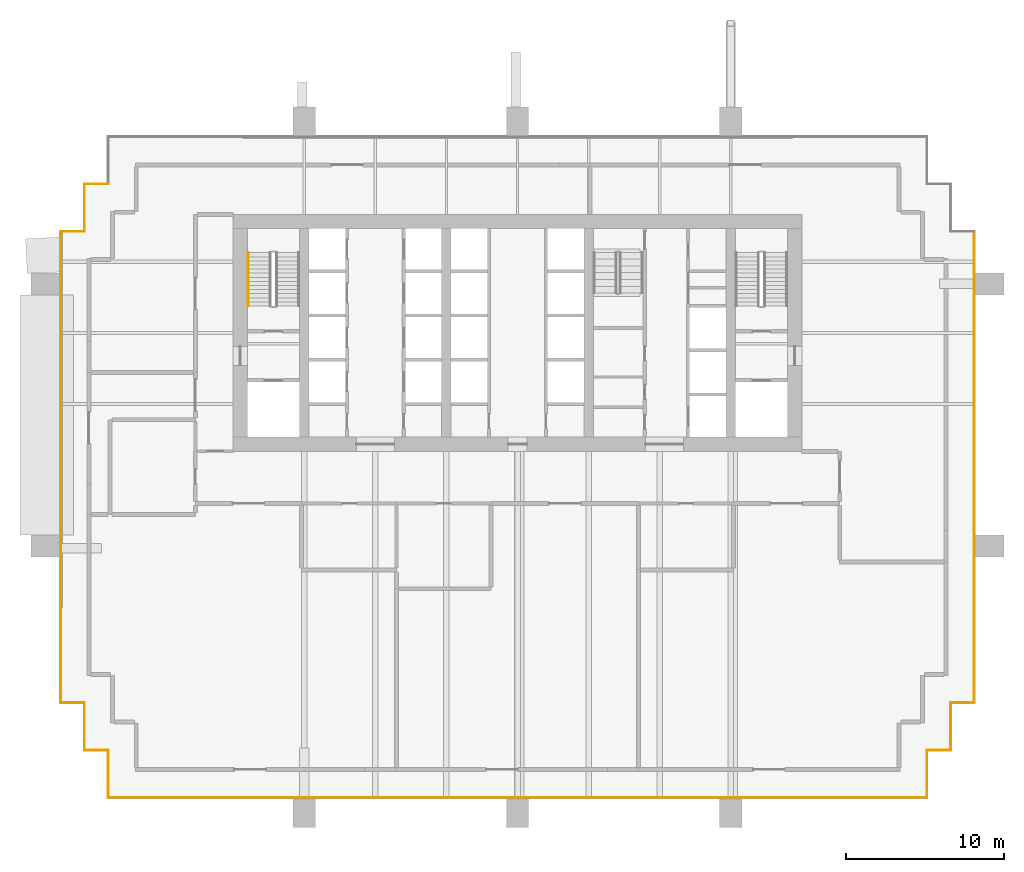
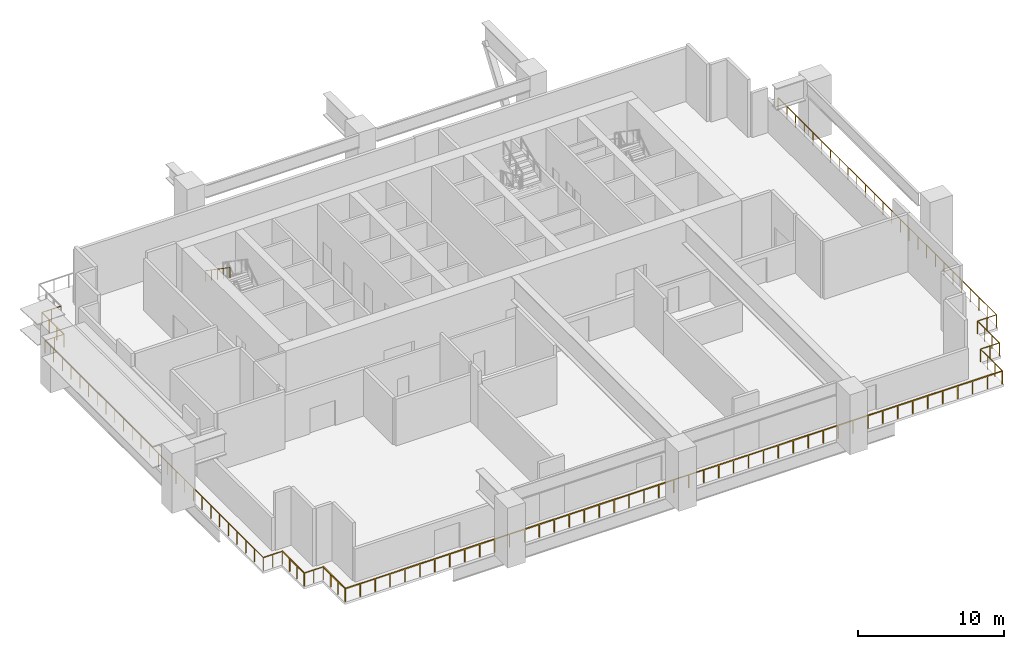
# One storey, part 6 of 9: 15 railings.
"""IFC4 building model written with IfcOpenShell, lengths in metres."""

from ifc_helpers import new_model, si_unit, direction, frame, origin, origin_2d, place, context, subcontext, project, spatial, rectangle, extrude, material, type_object, element, save


model = new_model("IFC4")

# Units and contexts
model_context = context("Model", 3, precision=1e-05, world=origin(), true_north=direction((0.0, 1.0)))
body_context = subcontext(model_context, "Body", "Model", "MODEL_VIEW")
ifc_project = project(units=[si_unit("LENGTHUNIT", "METRE"), si_unit("AREAUNIT", "SQUARE_METRE"), si_unit("VOLUMEUNIT", "CUBIC_METRE"), si_unit("PLANEANGLEUNIT", "RADIAN"), si_unit("MASSUNIT", "GRAM", prefix="KILO")], contexts=[model_context])

# Site, building, storey
site_placement = place(None, origin())
site = spatial("IfcSite", under=ifc_project, at=site_placement, CompositionType="ELEMENT")
building_placement = place(site_placement, origin())
building = spatial("IfcBuilding", under=site, at=building_placement, Name="Rattan Terrace Tower", CompositionType="ELEMENT")
storey_placement = place(building_placement, frame((0.0, 0.0, 158.10009765625)))
storey = spatial("IfcBuildingStorey", under=building, at=storey_placement, Name="L36", CompositionType="ELEMENT", Elevation=158.10009765625)

# Railings
ifc_material_1 = material(Name="Powder-coated steel handrail", Category="steel")
railing_type_1 = type_object("IfcRailingType", Name="Core stair handrail", PredefinedType="HANDRAIL", material=ifc_material_1)
railing_1_placement = place(storey_placement, frame((-17.050048828125, 5.080078125, 2.678466796875)))
element("IfcRailing", 1, at=railing_1_placement, inside=storey, type_object=railing_type_1, Name="L36 S1 stair handrail 2", PredefinedType="HANDRAIL", context=body_context, shape_type="SweptSolid", body=[
    extrude(rectangle(XDim=0.048095703125, YDim=0.048095703125, at=origin_2d()), frame((0.0, 0.0, 0.8759765625), z_axis=(0.0, -0.824304150675, 0.566147213346), x_axis=(1.0, 0.0, 0.0)), (0.0, 0.0, 1.0), 4.1005859375),
    extrude(rectangle(XDim=0.0419921875, YDim=0.0419921875, at=origin_2d()), origin(), (0.0, 0.0, 1.0), 0.851806640625),
    extrude(rectangle(XDim=0.0419921875, YDim=0.0419921875, at=origin_2d()), frame((0.0, -0.844970703125, 0.580322265625)), (0.0, 0.0, 1.0), 0.851806640625),
    extrude(rectangle(XDim=0.0419921875, YDim=0.0419921875, at=origin_2d()), frame((0.0, -1.68994140625, 1.16064453125)), (0.0, 0.0, 1.0), 0.851806640625),
    extrude(rectangle(XDim=0.0419921875, YDim=0.0419921875, at=origin_2d()), frame((0.0, -2.53515625, 1.7412109375)), (0.0, 0.0, 1.0), 0.851806640625),
    extrude(rectangle(XDim=0.0419921875, YDim=0.0419921875, at=origin_2d()), frame((0.0, -3.380126953125, 2.321533203125)), (0.0, 0.0, 1.0), 0.851806640625),
])
ifc_material_2 = material(Name="Stainless steel 316", Category="steel")
railing_type_2 = type_object("IfcRailingType", Name="Facade Guard 1100", PredefinedType="GUARDRAIL", material=ifc_material_2)
railing_2_placement = place(storey_placement, frame((25.919921875, -29.419921875, 0.0)))
element("IfcRailing", 2, at=railing_2_placement, inside=storey, type_object=railing_type_2, Name="Guard L36-1", PredefinedType="GUARDRAIL", context=body_context, shape_type="SweptSolid", body=[
    extrude(rectangle(XDim=0.048095703125, YDim=0.048095703125, at=origin_2d()), frame((0.0, 0.0, 1.076171875), z_axis=(-1.0, 0.0, 0.0), x_axis=(0.0, -1.0, 0.0)), (0.0, 0.0, 1.0), 51.83984375),
    extrude(rectangle(XDim=0.0419921875, YDim=0.0419921875, at=origin_2d()), origin(), (0.0, 0.0, 1.0), 1.052001953125),
    extrude(rectangle(XDim=0.0419921875, YDim=0.0419921875, at=origin_2d()), frame((-1.17822265625, 0.0, 0.0)), (0.0, 0.0, 1.0), 1.052001953125),
    extrude(rectangle(XDim=0.0419921875, YDim=0.0419921875, at=origin_2d()), frame((-2.3564453125, 0.0, 0.0)), (0.0, 0.0, 1.0), 1.052001953125),
    extrude(rectangle(XDim=0.0419921875, YDim=0.0419921875, at=origin_2d()), frame((-3.534423828125, 0.0, 0.0)), (0.0, 0.0, 1.0), 1.052001953125),
    extrude(rectangle(XDim=0.0419921875, YDim=0.0419921875, at=origin_2d()), frame((-4.712646484375, 0.0, 0.0)), (0.0, 0.0, 1.0), 1.052001953125),
    extrude(rectangle(XDim=0.0419921875, YDim=0.0419921875, at=origin_2d()), frame((-5.890869140625, 0.0, 0.0)), (0.0, 0.0, 1.0), 1.052001953125),
    extrude(rectangle(XDim=0.0419921875, YDim=0.0419921875, at=origin_2d()), frame((-7.069091796875, 0.0, 0.0)), (0.0, 0.0, 1.0), 1.052001953125),
    extrude(rectangle(XDim=0.0419921875, YDim=0.0419921875, at=origin_2d()), frame((-8.247314453125, 0.0, 0.0)), (0.0, 0.0, 1.0), 1.052001953125),
    extrude(rectangle(XDim=0.0419921875, YDim=0.0419921875, at=origin_2d()), frame((-9.425537109375, 0.0, 0.0)), (0.0, 0.0, 1.0), 1.052001953125),
    extrude(rectangle(XDim=0.0419921875, YDim=0.0419921875, at=origin_2d()), frame((-10.603515625, 0.0, 0.0)), (0.0, 0.0, 1.0), 1.052001953125),
    extrude(rectangle(XDim=0.0419921875, YDim=0.0419921875, at=origin_2d()), frame((-11.78173828125, 0.0, 0.0)), (0.0, 0.0, 1.0), 1.052001953125),
    extrude(rectangle(XDim=0.0419921875, YDim=0.0419921875, at=origin_2d()), frame((-12.9599609375, 0.0, 0.0)), (0.0, 0.0, 1.0), 1.052001953125),
    extrude(rectangle(XDim=0.0419921875, YDim=0.0419921875, at=origin_2d()), frame((-14.13818359375, 0.0, 0.0)), (0.0, 0.0, 1.0), 1.052001953125),
    extrude(rectangle(XDim=0.0419921875, YDim=0.0419921875, at=origin_2d()), frame((-15.31640625, 0.0, 0.0)), (0.0, 0.0, 1.0), 1.052001953125),
    extrude(rectangle(XDim=0.0419921875, YDim=0.0419921875, at=origin_2d()), frame((-16.494384765625, 0.0, 0.0)), (0.0, 0.0, 1.0), 1.052001953125),
    extrude(rectangle(XDim=0.0419921875, YDim=0.0419921875, at=origin_2d()), frame((-17.672607421875, 0.0, 0.0)), (0.0, 0.0, 1.0), 1.052001953125),
    extrude(rectangle(XDim=0.0419921875, YDim=0.0419921875, at=origin_2d()), frame((-18.850830078125, 0.0, 0.0)), (0.0, 0.0, 1.0), 1.052001953125),
    extrude(rectangle(XDim=0.0419921875, YDim=0.0419921875, at=origin_2d()), frame((-20.029052734375, 0.0, 0.0)), (0.0, 0.0, 1.0), 1.052001953125),
    extrude(rectangle(XDim=0.0419921875, YDim=0.0419921875, at=origin_2d()), frame((-21.207275390625, 0.0, 0.0)), (0.0, 0.0, 1.0), 1.052001953125),
    extrude(rectangle(XDim=0.0419921875, YDim=0.0419921875, at=origin_2d()), frame((-22.385498046875, 0.0, 0.0)), (0.0, 0.0, 1.0), 1.052001953125),
    extrude(rectangle(XDim=0.0419921875, YDim=0.0419921875, at=origin_2d()), frame((-23.5634765625, 0.0, 0.0)), (0.0, 0.0, 1.0), 1.052001953125),
    extrude(rectangle(XDim=0.0419921875, YDim=0.0419921875, at=origin_2d()), frame((-24.74169921875, 0.0, 0.0)), (0.0, 0.0, 1.0), 1.052001953125),
    extrude(rectangle(XDim=0.0419921875, YDim=0.0419921875, at=origin_2d()), frame((-25.919921875, 0.0, 0.0)), (0.0, 0.0, 1.0), 1.052001953125),
    extrude(rectangle(XDim=0.0419921875, YDim=0.0419921875, at=origin_2d()), frame((-27.09814453125, 0.0, 0.0)), (0.0, 0.0, 1.0), 1.052001953125),
    extrude(rectangle(XDim=0.0419921875, YDim=0.0419921875, at=origin_2d()), frame((-28.2763671875, 0.0, 0.0)), (0.0, 0.0, 1.0), 1.052001953125),
    extrude(rectangle(XDim=0.0419921875, YDim=0.0419921875, at=origin_2d()), frame((-29.454345703125, 0.0, 0.0)), (0.0, 0.0, 1.0), 1.052001953125),
    extrude(rectangle(XDim=0.0419921875, YDim=0.0419921875, at=origin_2d()), frame((-30.632568359375, 0.0, 0.0)), (0.0, 0.0, 1.0), 1.052001953125),
    extrude(rectangle(XDim=0.0419921875, YDim=0.0419921875, at=origin_2d()), frame((-31.810791015625, 0.0, 0.0)), (0.0, 0.0, 1.0), 1.052001953125),
    extrude(rectangle(XDim=0.0419921875, YDim=0.0419921875, at=origin_2d()), frame((-32.989013671875, 0.0, 0.0)), (0.0, 0.0, 1.0), 1.052001953125),
    extrude(rectangle(XDim=0.0419921875, YDim=0.0419921875, at=origin_2d()), frame((-34.167236328125, 0.0, 0.0)), (0.0, 0.0, 1.0), 1.052001953125),
    extrude(rectangle(XDim=0.0419921875, YDim=0.0419921875, at=origin_2d()), frame((-35.345458984375, 0.0, 0.0)), (0.0, 0.0, 1.0), 1.052001953125),
    extrude(rectangle(XDim=0.0419921875, YDim=0.0419921875, at=origin_2d()), frame((-36.5234375, 0.0, 0.0)), (0.0, 0.0, 1.0), 1.052001953125),
    extrude(rectangle(XDim=0.0419921875, YDim=0.0419921875, at=origin_2d()), frame((-37.70166015625, 0.0, 0.0)), (0.0, 0.0, 1.0), 1.052001953125),
    extrude(rectangle(XDim=0.0419921875, YDim=0.0419921875, at=origin_2d()), frame((-38.8798828125, 0.0, 0.0)), (0.0, 0.0, 1.0), 1.052001953125),
    extrude(rectangle(XDim=0.0419921875, YDim=0.0419921875, at=origin_2d()), frame((-40.05810546875, 0.0, 0.0)), (0.0, 0.0, 1.0), 1.052001953125),
    extrude(rectangle(XDim=0.0419921875, YDim=0.0419921875, at=origin_2d()), frame((-41.236328125, 0.0, 0.0)), (0.0, 0.0, 1.0), 1.052001953125),
    extrude(rectangle(XDim=0.0419921875, YDim=0.0419921875, at=origin_2d()), frame((-42.414306640625, 0.0, 0.0)), (0.0, 0.0, 1.0), 1.052001953125),
    extrude(rectangle(XDim=0.0419921875, YDim=0.0419921875, at=origin_2d()), frame((-43.592529296875, 0.0, 0.0)), (0.0, 0.0, 1.0), 1.052001953125),
    extrude(rectangle(XDim=0.0419921875, YDim=0.0419921875, at=origin_2d()), frame((-44.770751953125, 0.0, 0.0)), (0.0, 0.0, 1.0), 1.052001953125),
    extrude(rectangle(XDim=0.0419921875, YDim=0.0419921875, at=origin_2d()), frame((-45.948974609375, 0.0, 0.0)), (0.0, 0.0, 1.0), 1.052001953125),
    extrude(rectangle(XDim=0.0419921875, YDim=0.0419921875, at=origin_2d()), frame((-47.127197265625, 0.0, 0.0)), (0.0, 0.0, 1.0), 1.052001953125),
    extrude(rectangle(XDim=0.0419921875, YDim=0.0419921875, at=origin_2d()), frame((-48.305419921875, 0.0, 0.0)), (0.0, 0.0, 1.0), 1.052001953125),
    extrude(rectangle(XDim=0.0419921875, YDim=0.0419921875, at=origin_2d()), frame((-49.4833984375, 0.0, 0.0)), (0.0, 0.0, 1.0), 1.052001953125),
    extrude(rectangle(XDim=0.0419921875, YDim=0.0419921875, at=origin_2d()), frame((-50.66162109375, 0.0, 0.0)), (0.0, 0.0, 1.0), 1.052001953125),
])
railing_3_placement = place(storey_placement, frame((-25.919921875, -29.419921875, 0.0)))
element("IfcRailing", 3, at=railing_3_placement, inside=storey, type_object=railing_type_2, Name="Guard L36-2", PredefinedType="GUARDRAIL", context=body_context, shape_type="SweptSolid", body=[
    extrude(rectangle(XDim=0.048095703125, YDim=0.048095703125, at=origin_2d()), frame((0.0, 0.0, 1.076171875), z_axis=(0.0, 1.0, 0.0), x_axis=(-1.0, 0.0, 0.0)), (0.0, 0.0, 1.0), 3.0),
    extrude(rectangle(XDim=0.0419921875, YDim=0.0419921875, at=origin_2d()), origin(), (0.0, 0.0, 1.0), 1.052001953125),
    extrude(rectangle(XDim=0.0419921875, YDim=0.0419921875, at=origin_2d()), frame((0.0, 1.0, 0.0)), (0.0, 0.0, 1.0), 1.052001953125),
    extrude(rectangle(XDim=0.0419921875, YDim=0.0419921875, at=origin_2d()), frame((0.0, 2.0, 0.0)), (0.0, 0.0, 1.0), 1.052001953125),
])
railing_4_placement = place(storey_placement, frame((-25.919921875, -26.419921875, 0.0)))
element("IfcRailing", 4, at=railing_4_placement, inside=storey, type_object=railing_type_2, Name="Guard L36-3", PredefinedType="GUARDRAIL", context=body_context, shape_type="SweptSolid", body=[
    extrude(rectangle(XDim=0.048095703125, YDim=0.048095703125, at=origin_2d()), frame((0.0, 0.0, 1.076171875), z_axis=(-1.0, 0.0, 0.0), x_axis=(0.0, -1.0, 0.0)), (0.0, 0.0, 1.0), 1.5),
    extrude(rectangle(XDim=0.0419921875, YDim=0.0419921875, at=origin_2d()), origin(), (0.0, 0.0, 1.0), 1.052001953125),
    extrude(rectangle(XDim=0.0419921875, YDim=0.0419921875, at=origin_2d()), frame((-0.75, 0.0, 0.0)), (0.0, 0.0, 1.0), 1.052001953125),
])
railing_5_placement = place(storey_placement, frame((-27.419921875, -26.419921875, 0.0)))
element("IfcRailing", 5, at=railing_5_placement, inside=storey, type_object=railing_type_2, Name="Guard L36-4", PredefinedType="GUARDRAIL", context=body_context, shape_type="SweptSolid", body=[
    extrude(rectangle(XDim=0.048095703125, YDim=0.048095703125, at=origin_2d()), frame((0.0, 0.0, 1.076171875), z_axis=(0.0, 1.0, 0.0), x_axis=(-1.0, 0.0, 0.0)), (0.0, 0.0, 1.0), 3.0),
    extrude(rectangle(XDim=0.0419921875, YDim=0.0419921875, at=origin_2d()), origin(), (0.0, 0.0, 1.0), 1.052001953125),
    extrude(rectangle(XDim=0.0419921875, YDim=0.0419921875, at=origin_2d()), frame((0.0, 1.0, 0.0)), (0.0, 0.0, 1.0), 1.052001953125),
    extrude(rectangle(XDim=0.0419921875, YDim=0.0419921875, at=origin_2d()), frame((0.0, 2.0, 0.0)), (0.0, 0.0, 1.0), 1.052001953125),
])
railing_6_placement = place(storey_placement, frame((-27.419921875, -23.419921875, 0.0)))
element("IfcRailing", 6, at=railing_6_placement, inside=storey, type_object=railing_type_2, Name="Guard L36-5", PredefinedType="GUARDRAIL", context=body_context, shape_type="SweptSolid", body=[
    extrude(rectangle(XDim=0.048095703125, YDim=0.048095703125, at=origin_2d()), frame((0.0, 0.0, 1.076171875), z_axis=(-1.0, 0.0, 0.0), x_axis=(0.0, -1.0, 0.0)), (0.0, 0.0, 1.0), 1.5),
    extrude(rectangle(XDim=0.0419921875, YDim=0.0419921875, at=origin_2d()), origin(), (0.0, 0.0, 1.0), 1.052001953125),
    extrude(rectangle(XDim=0.0419921875, YDim=0.0419921875, at=origin_2d()), frame((-0.75, 0.0, 0.0)), (0.0, 0.0, 1.0), 1.052001953125),
])
railing_7_placement = place(storey_placement, frame((-28.919921875, -23.419921875, 0.0)))
element("IfcRailing", 7, at=railing_7_placement, inside=storey, type_object=railing_type_2, Name="Guard L36-6", PredefinedType="GUARDRAIL", context=body_context, shape_type="SweptSolid", body=[
    extrude(rectangle(XDim=0.048095703125, YDim=0.048095703125, at=origin_2d()), frame((0.0, 0.0, 1.076171875), z_axis=(0.0, 1.0, 0.0), x_axis=(-1.0, 0.0, 0.0)), (0.0, 0.0, 1.0), 29.83984375),
    extrude(rectangle(XDim=0.0419921875, YDim=0.0419921875, at=origin_2d()), origin(), (0.0, 0.0, 1.0), 1.052001953125),
    extrude(rectangle(XDim=0.0419921875, YDim=0.0419921875, at=origin_2d()), frame((0.0, 1.193603515625, 0.0)), (0.0, 0.0, 1.0), 1.052001953125),
    extrude(rectangle(XDim=0.0419921875, YDim=0.0419921875, at=origin_2d()), frame((0.0, 2.38720703125, 0.0)), (0.0, 0.0, 1.0), 1.052001953125),
    extrude(rectangle(XDim=0.0419921875, YDim=0.0419921875, at=origin_2d()), frame((0.0, 3.580810546875, 0.0)), (0.0, 0.0, 1.0), 1.052001953125),
    extrude(rectangle(XDim=0.0419921875, YDim=0.0419921875, at=origin_2d()), frame((0.0, 4.7744140625, 0.0)), (0.0, 0.0, 1.0), 1.052001953125),
    extrude(rectangle(XDim=0.0419921875, YDim=0.0419921875, at=origin_2d()), frame((0.0, 5.968017578125, 0.0)), (0.0, 0.0, 1.0), 1.052001953125),
    extrude(rectangle(XDim=0.0419921875, YDim=0.0419921875, at=origin_2d()), frame((0.0, 7.16162109375, 0.0)), (0.0, 0.0, 1.0), 1.052001953125),
    extrude(rectangle(XDim=0.0419921875, YDim=0.0419921875, at=origin_2d()), frame((0.0, 8.355224609375, 0.0)), (0.0, 0.0, 1.0), 1.052001953125),
    extrude(rectangle(XDim=0.0419921875, YDim=0.0419921875, at=origin_2d()), frame((0.0, 9.548828125, 0.0)), (0.0, 0.0, 1.0), 1.052001953125),
    extrude(rectangle(XDim=0.0419921875, YDim=0.0419921875, at=origin_2d()), frame((0.0, 10.742431640625, 0.0)), (0.0, 0.0, 1.0), 1.052001953125),
    extrude(rectangle(XDim=0.0419921875, YDim=0.0419921875, at=origin_2d()), frame((0.0, 11.93603515625, 0.0)), (0.0, 0.0, 1.0), 1.052001953125),
    extrude(rectangle(XDim=0.0419921875, YDim=0.0419921875, at=origin_2d()), frame((0.0, 13.129638671875, 0.0)), (0.0, 0.0, 1.0), 1.052001953125),
    extrude(rectangle(XDim=0.0419921875, YDim=0.0419921875, at=origin_2d()), frame((0.0, 14.3232421875, 0.0)), (0.0, 0.0, 1.0), 1.052001953125),
    extrude(rectangle(XDim=0.0419921875, YDim=0.0419921875, at=origin_2d()), frame((0.0, 15.5166015625, 0.0)), (0.0, 0.0, 1.0), 1.052001953125),
    extrude(rectangle(XDim=0.0419921875, YDim=0.0419921875, at=origin_2d()), frame((0.0, 16.710205078125, 0.0)), (0.0, 0.0, 1.0), 1.052001953125),
    extrude(rectangle(XDim=0.0419921875, YDim=0.0419921875, at=origin_2d()), frame((0.0, 17.90380859375, 0.0)), (0.0, 0.0, 1.0), 1.052001953125),
    extrude(rectangle(XDim=0.0419921875, YDim=0.0419921875, at=origin_2d()), frame((0.0, 19.097412109375, 0.0)), (0.0, 0.0, 1.0), 1.052001953125),
    extrude(rectangle(XDim=0.0419921875, YDim=0.0419921875, at=origin_2d()), frame((0.0, 20.291015625, 0.0)), (0.0, 0.0, 1.0), 1.052001953125),
    extrude(rectangle(XDim=0.0419921875, YDim=0.0419921875, at=origin_2d()), frame((0.0, 21.484619140625, 0.0)), (0.0, 0.0, 1.0), 1.052001953125),
    extrude(rectangle(XDim=0.0419921875, YDim=0.0419921875, at=origin_2d()), frame((0.0, 22.67822265625, 0.0)), (0.0, 0.0, 1.0), 1.052001953125),
    extrude(rectangle(XDim=0.0419921875, YDim=0.0419921875, at=origin_2d()), frame((0.0, 23.871826171875, 0.0)), (0.0, 0.0, 1.0), 1.052001953125),
    extrude(rectangle(XDim=0.0419921875, YDim=0.0419921875, at=origin_2d()), frame((0.0, 25.0654296875, 0.0)), (0.0, 0.0, 1.0), 1.052001953125),
    extrude(rectangle(XDim=0.0419921875, YDim=0.0419921875, at=origin_2d()), frame((0.0, 26.259033203125, 0.0)), (0.0, 0.0, 1.0), 1.052001953125),
    extrude(rectangle(XDim=0.0419921875, YDim=0.0419921875, at=origin_2d()), frame((0.0, 27.45263671875, 0.0)), (0.0, 0.0, 1.0), 1.052001953125),
    extrude(rectangle(XDim=0.0419921875, YDim=0.0419921875, at=origin_2d()), frame((0.0, 28.646240234375, 0.0)), (0.0, 0.0, 1.0), 1.052001953125),
])
railing_8_placement = place(storey_placement, frame((-28.919921875, 6.419921875, 0.0)))
element("IfcRailing", 8, at=railing_8_placement, inside=storey, type_object=railing_type_2, Name="Guard L36-7", PredefinedType="GUARDRAIL", context=body_context, shape_type="SweptSolid", body=[
    extrude(rectangle(XDim=0.048095703125, YDim=0.048095703125, at=origin_2d()), frame((0.0, 0.0, 1.076171875), z_axis=(1.0, 0.0, 0.0), x_axis=(0.0, 1.0, 0.0)), (0.0, 0.0, 1.0), 1.5),
    extrude(rectangle(XDim=0.0419921875, YDim=0.0419921875, at=origin_2d()), origin(), (0.0, 0.0, 1.0), 1.052001953125),
    extrude(rectangle(XDim=0.0419921875, YDim=0.0419921875, at=origin_2d()), frame((0.75, 0.0, 0.0)), (0.0, 0.0, 1.0), 1.052001953125),
])
railing_9_placement = place(storey_placement, frame((-27.419921875, 6.419921875, 0.0)))
element("IfcRailing", 9, at=railing_9_placement, inside=storey, type_object=railing_type_2, Name="Guard L36-8", PredefinedType="GUARDRAIL", context=body_context, shape_type="SweptSolid", body=[
    extrude(rectangle(XDim=0.048095703125, YDim=0.048095703125, at=origin_2d()), frame((0.0, 0.0, 1.076171875), z_axis=(0.0, 1.0, 0.0), x_axis=(-1.0, 0.0, 0.0)), (0.0, 0.0, 1.0), 3.0),
    extrude(rectangle(XDim=0.0419921875, YDim=0.0419921875, at=origin_2d()), origin(), (0.0, 0.0, 1.0), 1.052001953125),
    extrude(rectangle(XDim=0.0419921875, YDim=0.0419921875, at=origin_2d()), frame((0.0, 1.0, 0.0)), (0.0, 0.0, 1.0), 1.052001953125),
    extrude(rectangle(XDim=0.0419921875, YDim=0.0419921875, at=origin_2d()), frame((0.0, 2.0, 0.0)), (0.0, 0.0, 1.0), 1.052001953125),
])
railing_10_placement = place(storey_placement, frame((-27.419921875, 9.419921875, 0.0)))
element("IfcRailing", 10, at=railing_10_placement, inside=storey, type_object=railing_type_2, Name="Guard L36-9", PredefinedType="GUARDRAIL", context=body_context, shape_type="SweptSolid", body=[
    extrude(rectangle(XDim=0.048095703125, YDim=0.048095703125, at=origin_2d()), frame((0.0, 0.0, 1.076171875), z_axis=(1.0, 0.0, 0.0), x_axis=(0.0, 1.0, 0.0)), (0.0, 0.0, 1.0), 1.5),
    extrude(rectangle(XDim=0.0419921875, YDim=0.0419921875, at=origin_2d()), origin(), (0.0, 0.0, 1.0), 1.052001953125),
    extrude(rectangle(XDim=0.0419921875, YDim=0.0419921875, at=origin_2d()), frame((0.75, 0.0, 0.0)), (0.0, 0.0, 1.0), 1.052001953125),
])
railing_11_placement = place(storey_placement, frame((28.919921875, 6.419921875, 0.0)))
element("IfcRailing", 11, at=railing_11_placement, inside=storey, type_object=railing_type_2, Name="Guard L36-16", PredefinedType="GUARDRAIL", context=body_context, shape_type="SweptSolid", body=[
    extrude(rectangle(XDim=0.048095703125, YDim=0.048095703125, at=origin_2d()), frame((0.0, 0.0, 1.076171875), z_axis=(0.0, -1.0, 0.0), x_axis=(1.0, 0.0, 0.0)), (0.0, 0.0, 1.0), 29.83984375),
    extrude(rectangle(XDim=0.0419921875, YDim=0.0419921875, at=origin_2d()), origin(), (0.0, 0.0, 1.0), 1.052001953125),
    extrude(rectangle(XDim=0.0419921875, YDim=0.0419921875, at=origin_2d()), frame((0.0, -1.193603515625, 0.0)), (0.0, 0.0, 1.0), 1.052001953125),
    extrude(rectangle(XDim=0.0419921875, YDim=0.0419921875, at=origin_2d()), frame((0.0, -2.38720703125, 0.0)), (0.0, 0.0, 1.0), 1.052001953125),
    extrude(rectangle(XDim=0.0419921875, YDim=0.0419921875, at=origin_2d()), frame((0.0, -3.580810546875, 0.0)), (0.0, 0.0, 1.0), 1.052001953125),
    extrude(rectangle(XDim=0.0419921875, YDim=0.0419921875, at=origin_2d()), frame((0.0, -4.7744140625, 0.0)), (0.0, 0.0, 1.0), 1.052001953125),
    extrude(rectangle(XDim=0.0419921875, YDim=0.0419921875, at=origin_2d()), frame((0.0, -5.968017578125, 0.0)), (0.0, 0.0, 1.0), 1.052001953125),
    extrude(rectangle(XDim=0.0419921875, YDim=0.0419921875, at=origin_2d()), frame((0.0, -7.16162109375, 0.0)), (0.0, 0.0, 1.0), 1.052001953125),
    extrude(rectangle(XDim=0.0419921875, YDim=0.0419921875, at=origin_2d()), frame((0.0, -8.355224609375, 0.0)), (0.0, 0.0, 1.0), 1.052001953125),
    extrude(rectangle(XDim=0.0419921875, YDim=0.0419921875, at=origin_2d()), frame((0.0, -9.548828125, 0.0)), (0.0, 0.0, 1.0), 1.052001953125),
    extrude(rectangle(XDim=0.0419921875, YDim=0.0419921875, at=origin_2d()), frame((0.0, -10.742431640625, 0.0)), (0.0, 0.0, 1.0), 1.052001953125),
    extrude(rectangle(XDim=0.0419921875, YDim=0.0419921875, at=origin_2d()), frame((0.0, -11.93603515625, 0.0)), (0.0, 0.0, 1.0), 1.052001953125),
    extrude(rectangle(XDim=0.0419921875, YDim=0.0419921875, at=origin_2d()), frame((0.0, -13.129638671875, 0.0)), (0.0, 0.0, 1.0), 1.052001953125),
    extrude(rectangle(XDim=0.0419921875, YDim=0.0419921875, at=origin_2d()), frame((0.0, -14.3232421875, 0.0)), (0.0, 0.0, 1.0), 1.052001953125),
    extrude(rectangle(XDim=0.0419921875, YDim=0.0419921875, at=origin_2d()), frame((0.0, -15.5166015625, 0.0)), (0.0, 0.0, 1.0), 1.052001953125),
    extrude(rectangle(XDim=0.0419921875, YDim=0.0419921875, at=origin_2d()), frame((0.0, -16.710205078125, 0.0)), (0.0, 0.0, 1.0), 1.052001953125),
    extrude(rectangle(XDim=0.0419921875, YDim=0.0419921875, at=origin_2d()), frame((0.0, -17.90380859375, 0.0)), (0.0, 0.0, 1.0), 1.052001953125),
    extrude(rectangle(XDim=0.0419921875, YDim=0.0419921875, at=origin_2d()), frame((0.0, -19.097412109375, 0.0)), (0.0, 0.0, 1.0), 1.052001953125),
    extrude(rectangle(XDim=0.0419921875, YDim=0.0419921875, at=origin_2d()), frame((0.0, -20.291015625, 0.0)), (0.0, 0.0, 1.0), 1.052001953125),
    extrude(rectangle(XDim=0.0419921875, YDim=0.0419921875, at=origin_2d()), frame((0.0, -21.484619140625, 0.0)), (0.0, 0.0, 1.0), 1.052001953125),
    extrude(rectangle(XDim=0.0419921875, YDim=0.0419921875, at=origin_2d()), frame((0.0, -22.67822265625, 0.0)), (0.0, 0.0, 1.0), 1.052001953125),
    extrude(rectangle(XDim=0.0419921875, YDim=0.0419921875, at=origin_2d()), frame((0.0, -23.871826171875, 0.0)), (0.0, 0.0, 1.0), 1.052001953125),
    extrude(rectangle(XDim=0.0419921875, YDim=0.0419921875, at=origin_2d()), frame((0.0, -25.0654296875, 0.0)), (0.0, 0.0, 1.0), 1.052001953125),
    extrude(rectangle(XDim=0.0419921875, YDim=0.0419921875, at=origin_2d()), frame((0.0, -26.259033203125, 0.0)), (0.0, 0.0, 1.0), 1.052001953125),
    extrude(rectangle(XDim=0.0419921875, YDim=0.0419921875, at=origin_2d()), frame((0.0, -27.45263671875, 0.0)), (0.0, 0.0, 1.0), 1.052001953125),
    extrude(rectangle(XDim=0.0419921875, YDim=0.0419921875, at=origin_2d()), frame((0.0, -28.646240234375, 0.0)), (0.0, 0.0, 1.0), 1.052001953125),
])
railing_12_placement = place(storey_placement, frame((28.919921875, -23.419921875, 0.0)))
element("IfcRailing", 12, at=railing_12_placement, inside=storey, type_object=railing_type_2, Name="Guard L36-17", PredefinedType="GUARDRAIL", context=body_context, shape_type="SweptSolid", body=[
    extrude(rectangle(XDim=0.048095703125, YDim=0.048095703125, at=origin_2d()), frame((0.0, 0.0, 1.076171875), z_axis=(-1.0, 0.0, 0.0), x_axis=(0.0, -1.0, 0.0)), (0.0, 0.0, 1.0), 1.5),
    extrude(rectangle(XDim=0.0419921875, YDim=0.0419921875, at=origin_2d()), origin(), (0.0, 0.0, 1.0), 1.052001953125),
    extrude(rectangle(XDim=0.0419921875, YDim=0.0419921875, at=origin_2d()), frame((-0.75, 0.0, 0.0)), (0.0, 0.0, 1.0), 1.052001953125),
])
railing_13_placement = place(storey_placement, frame((27.419921875, -23.419921875, 0.0)))
element("IfcRailing", 13, at=railing_13_placement, inside=storey, type_object=railing_type_2, Name="Guard L36-18", PredefinedType="GUARDRAIL", context=body_context, shape_type="SweptSolid", body=[
    extrude(rectangle(XDim=0.048095703125, YDim=0.048095703125, at=origin_2d()), frame((0.0, 0.0, 1.076171875), z_axis=(0.0, -1.0, 0.0), x_axis=(1.0, 0.0, 0.0)), (0.0, 0.0, 1.0), 3.0),
    extrude(rectangle(XDim=0.0419921875, YDim=0.0419921875, at=origin_2d()), origin(), (0.0, 0.0, 1.0), 1.052001953125),
    extrude(rectangle(XDim=0.0419921875, YDim=0.0419921875, at=origin_2d()), frame((0.0, -1.0, 0.0)), (0.0, 0.0, 1.0), 1.052001953125),
    extrude(rectangle(XDim=0.0419921875, YDim=0.0419921875, at=origin_2d()), frame((0.0, -2.0, 0.0)), (0.0, 0.0, 1.0), 1.052001953125),
])
railing_14_placement = place(storey_placement, frame((27.419921875, -26.419921875, 0.0)))
element("IfcRailing", 14, at=railing_14_placement, inside=storey, type_object=railing_type_2, Name="Guard L36-19", PredefinedType="GUARDRAIL", context=body_context, shape_type="SweptSolid", body=[
    extrude(rectangle(XDim=0.048095703125, YDim=0.048095703125, at=origin_2d()), frame((0.0, 0.0, 1.076171875), z_axis=(-1.0, 0.0, 0.0), x_axis=(0.0, -1.0, 0.0)), (0.0, 0.0, 1.0), 1.5),
    extrude(rectangle(XDim=0.0419921875, YDim=0.0419921875, at=origin_2d()), origin(), (0.0, 0.0, 1.0), 1.052001953125),
    extrude(rectangle(XDim=0.0419921875, YDim=0.0419921875, at=origin_2d()), frame((-0.75, 0.0, 0.0)), (0.0, 0.0, 1.0), 1.052001953125),
])
railing_15_placement = place(storey_placement, frame((25.919921875, -26.419921875, 0.0)))
element("IfcRailing", 15, at=railing_15_placement, inside=storey, type_object=railing_type_2, Name="Guard L36-20", PredefinedType="GUARDRAIL", context=body_context, shape_type="SweptSolid", body=[
    extrude(rectangle(XDim=0.048095703125, YDim=0.048095703125, at=origin_2d()), frame((0.0, 0.0, 1.076171875), z_axis=(0.0, -1.0, 0.0), x_axis=(1.0, 0.0, 0.0)), (0.0, 0.0, 1.0), 3.0),
    extrude(rectangle(XDim=0.0419921875, YDim=0.0419921875, at=origin_2d()), origin(), (0.0, 0.0, 1.0), 1.052001953125),
    extrude(rectangle(XDim=0.0419921875, YDim=0.0419921875, at=origin_2d()), frame((0.0, -1.0, 0.0)), (0.0, 0.0, 1.0), 1.052001953125),
    extrude(rectangle(XDim=0.0419921875, YDim=0.0419921875, at=origin_2d()), frame((0.0, -2.0, 0.0)), (0.0, 0.0, 1.0), 1.052001953125),
])

save(model, "model.ifc")
